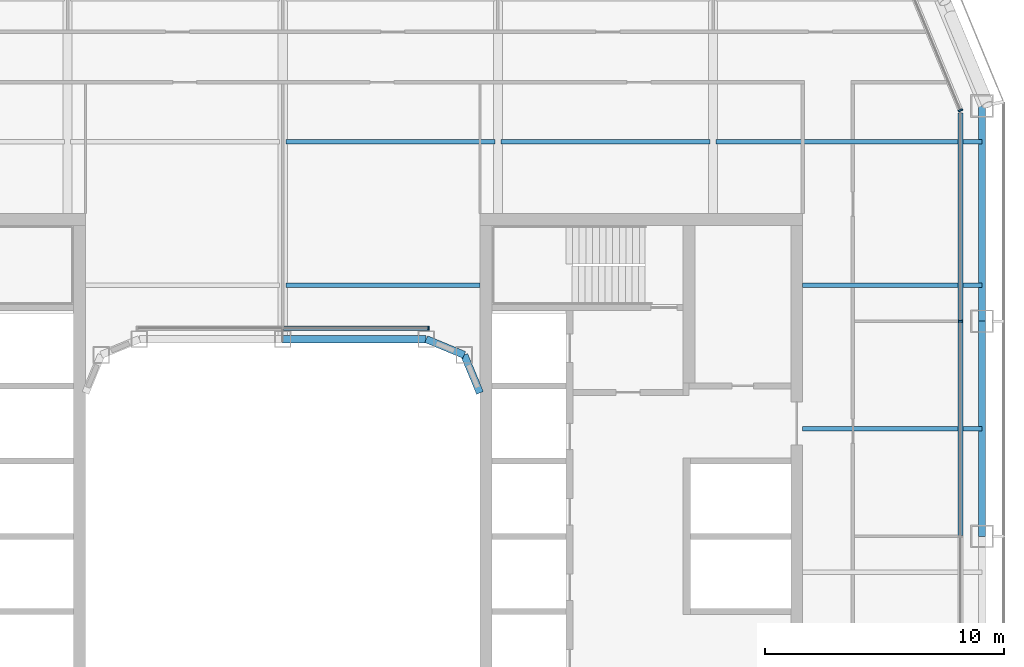
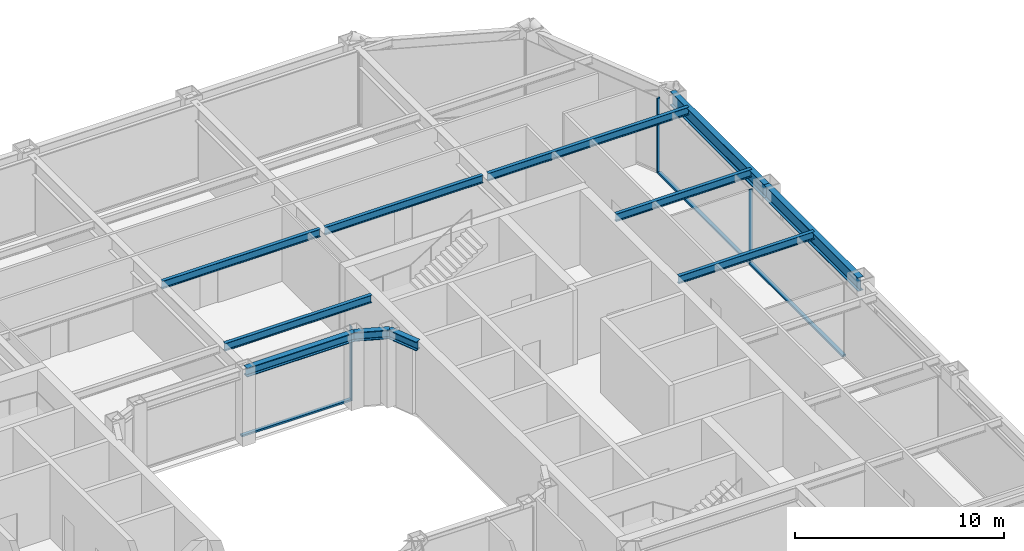
# One storey, part 8 of 21: 11 beams, 6 members, 3 elements without a shape of their own.
"""IFC4 building model written with IfcOpenShell, lengths in metres."""

from ifc_helpers import new_model, si_unit, direction, frame, origin, origin_2d, place, context, subcontext, project, spatial, rectangle, i_section, extrude, material, layer, layer_set, material_profile, profile_set, type_object, element, aggregate, save


model = new_model("IFC4")

# Units and contexts
model_context = context("Model", 3, precision=1e-05, world=origin(), true_north=direction((0.0, 1.0)))
body_context = subcontext(model_context, "Body", "Model", "MODEL_VIEW")
ifc_project = project(units=[si_unit("LENGTHUNIT", "METRE"), si_unit("AREAUNIT", "SQUARE_METRE"), si_unit("VOLUMEUNIT", "CUBIC_METRE"), si_unit("PLANEANGLEUNIT", "RADIAN"), si_unit("MASSUNIT", "GRAM", prefix="KILO")], contexts=[model_context])

# Site, building, storey
site_placement = place(None, origin())
site = spatial("IfcSite", under=ifc_project, at=site_placement, CompositionType="ELEMENT")
building_placement = place(site_placement, origin())
building = spatial("IfcBuilding", under=site, at=building_placement, Name="Siwar Civic Tower", CompositionType="ELEMENT")
storey_placement = place(building_placement, frame((0.0, 0.0, 140.699951171875)))
storey = spatial("IfcBuildingStorey", under=building, at=storey_placement, Name="L30", CompositionType="ELEMENT", Elevation=140.699951171875)

# Curtain wall, member
ifc_material_1 = material(Name="Aluminium and glass", Category="aluminium")
ifc_layer_1 = layer(ifc_material_1, 0.199951171875)
ifc_layer_set_1 = layer_set([ifc_layer_1], Name="Aluminium and glass")
curtain_wall_type_1 = type_object("IfcCurtainWallType", Name="ENV-CW-B", PredefinedType="NOTDEFINED", material=ifc_layer_set_1)
curtain_wall_1_placement = place(storey_placement, origin())
curtain_wall_1 = element("IfcCurtainWall", 1, at=curtain_wall_1_placement, inside=storey, type_object=curtain_wall_type_1, Name="Curtain wall B E", PredefinedType="NOTDEFINED")
ifc_material_2 = material(Name="Aluminium 6063-T6", Category="aluminium")
ifc_material_profile_1 = material_profile(ifc_material_2, rectangle(XDim=0.199951171875, YDim=0.06494140625, at=origin_2d()), Name="AL 200x65")
ifc_profile_set_1 = profile_set([ifc_material_profile_1], Name="Aluminium 6063-T6")
member_type_1 = type_object("IfcMemberType", Name="ENV-MULLION-B", PredefinedType="MULLION", material=ifc_profile_set_1)
member_1_placement = place(storey_placement, frame((28.35009765625, 9.0, 0.0), z_axis=(0.0, 0.0, 1.0), x_axis=(-1.0, 0.0, 0.0)))
member_1 = element("IfcMember", 2, at=member_1_placement, type_object=member_type_1, Name="Mullion B E 4", PredefinedType="MULLION", context=body_context, shape_type="SweptSolid", body=[
    extrude(rectangle(XDim=0.199951171875, YDim=0.06494140625, at=origin_2d()), origin(), (0.0, 0.0, 1.0), 4.35009765625),
])

ifc_material_3 = material(Name="Aluminium clad insulated panel", Category="aluminium")
ifc_layer_2 = layer(ifc_material_3, 0.199951171875)
ifc_layer_set_2 = layer_set([ifc_layer_2], Name="Aluminium clad insulated panel")
curtain_wall_type_2 = type_object("IfcCurtainWallType", Name="ENV-CW-BX", PredefinedType="NOTDEFINED", material=ifc_layer_set_2)
curtain_wall_2_placement = place(storey_placement, origin())
curtain_wall_2 = element("IfcCurtainWall", 3, at=curtain_wall_2_placement, inside=storey, type_object=curtain_wall_type_2, Name="Curtain wall B NE1", PredefinedType="NOTDEFINED")
member_2_placement = place(storey_placement, frame((28.35009765625, 17.821044921875, 0.0), z_axis=(0.0, 0.0, 1.0), x_axis=(-0.923879532511, -0.382683432365, 0.0)))
member_2 = element("IfcMember", 4, at=member_2_placement, type_object=member_type_1, Name="Mullion B NE1 1", PredefinedType="MULLION", context=body_context, shape_type="SweptSolid", body=[
    extrude(rectangle(XDim=0.199951171875, YDim=0.06494140625, at=origin_2d()), origin(), (0.0, 0.0, 1.0), 4.35009765625),
])
aggregate(curtain_wall_2, [member_2])

ifc_material_4 = material(Name="Aluminium and glass", Category="aluminium")
ifc_layer_3 = layer(ifc_material_4, 0.179931640625)
ifc_layer_set_3 = layer_set([ifc_layer_3], Name="Aluminium and glass")
curtain_wall_type_3 = type_object("IfcCurtainWallType", Name="ENV-CW-W", PredefinedType="NOTDEFINED", material=ifc_layer_set_3)
curtain_wall_3_placement = place(storey_placement, origin())
curtain_wall_3 = element("IfcCurtainWall", 5, at=curtain_wall_3_placement, inside=storey, type_object=curtain_wall_type_3, Name="Curtain wall W WN", PredefinedType="NOTDEFINED")
ifc_material_5 = material(Name="Aluminium 6063-T6", Category="aluminium")
ifc_material_profile_2 = material_profile(ifc_material_5, rectangle(XDim=0.179931640625, YDim=0.06005859375, at=origin_2d()), Name="AL 180x60")
ifc_profile_set_2 = profile_set([ifc_material_profile_2], Name="Aluminium 6063-T6")
member_type_2 = type_object("IfcMemberType", Name="ENV-MULLION-W", PredefinedType="MULLION", material=ifc_profile_set_2)
member_3_placement = place(storey_placement, frame((6.091552734375, 8.7099609375, 0.0), z_axis=(0.0, 0.0, 1.0), x_axis=(0.0, -1.0, 0.0)))
member_3 = element("IfcMember", 6, at=member_3_placement, type_object=member_type_2, Name="Mullion W WN 1", PredefinedType="MULLION", context=body_context, shape_type="SweptSolid", body=[
    extrude(rectangle(XDim=0.179931640625, YDim=0.06005859375, at=origin_2d()), origin(), (0.0, 0.0, 1.0), 4.35009765625),
])

# Member
ifc_material_6 = material(Name="Aluminium 6063-T6", Category="aluminium")
ifc_material_profile_3 = material_profile(ifc_material_6, rectangle(XDim=0.199951171875, YDim=0.110107421875, at=origin_2d()), Name="AL 200x110")
ifc_profile_set_3 = profile_set([ifc_material_profile_3], Name="Aluminium 6063-T6")
member_type_3 = type_object("IfcMemberType", Name="ENV-TRANSOM-B", PredefinedType="USERDEFINED", material=ifc_profile_set_3)
member_4_placement = place(storey_placement, frame((28.35009765625, 0.032470703125, 0.054931640625), z_axis=(0.0, 1.0, 0.0), x_axis=(-1.0, 0.0, 0.0)))
member_4 = element("IfcMember", 7, at=member_4_placement, type_object=member_type_3, Name="Transom B E 3", ObjectType="TRANSOM", PredefinedType="USERDEFINED", context=body_context, shape_type="SweptSolid", body=[
    extrude(rectangle(XDim=0.199951171875, YDim=0.110107421875, at=origin_2d()), origin(), (0.0, 0.0, 1.0), 8.93505859375),
])

member_5_placement = place(storey_placement, frame((28.35009765625, 9.032470703125, 0.054931640625), z_axis=(0.0, 1.0, 0.0), x_axis=(-1.0, 0.0, 0.0)))
member_5 = element("IfcMember", 8, at=member_5_placement, type_object=member_type_3, Name="Transom B E 4", ObjectType="TRANSOM", PredefinedType="USERDEFINED", context=body_context, shape_type="SweptSolid", body=[
    extrude(rectangle(XDim=0.199951171875, YDim=0.110107421875, at=origin_2d()), origin(), (0.0, 0.0, 1.0), 8.6748046875),
])

aggregate(curtain_wall_1, [member_1, member_4, member_5])

ifc_material_7 = material(Name="Aluminium 6063-T6", Category="aluminium")
ifc_material_profile_4 = material_profile(ifc_material_7, rectangle(XDim=0.179931640625, YDim=0.10009765625, at=origin_2d()), Name="AL 180x100")
ifc_profile_set_4 = profile_set([ifc_material_profile_4], Name="Aluminium 6063-T6")
member_type_4 = type_object("IfcMemberType", Name="ENV-TRANSOM-W", PredefinedType="USERDEFINED", material=ifc_profile_set_4)
member_6_placement = place(storey_placement, frame((6.0615234375, 8.7099609375, 0.050048828125), z_axis=(-1.0, 0.0, 0.0), x_axis=(0.0, -1.0, 0.0)))
member_6 = element("IfcMember", 9, at=member_6_placement, type_object=member_type_4, Name="Transom W WN 1", ObjectType="TRANSOM", PredefinedType="USERDEFINED", context=body_context, shape_type="SweptSolid", body=[
    extrude(rectangle(XDim=0.179931640625, YDim=0.10009765625, at=origin_2d()), origin(), (0.0, 0.0, 1.0), 6.031494140625),
])

aggregate(curtain_wall_3, [member_3, member_6])

# Beams
ifc_material_8 = material(Name="Steel S355", Category="steel")
ifc_material_profile_5 = material_profile(ifc_material_8, i_section(OverallWidth=0.18994140625, OverallDepth=0.449951171875, WebThickness=0.009521484375, FlangeThickness=0.0146484375, FilletRadius=0.02099609375, at=origin_2d()), Name="IPE450")
ifc_profile_set_5 = profile_set([ifc_material_profile_5], Name="Steel S355")
beam_type_1 = type_object("IfcBeamType", Name="STR-FB-IPE450", PredefinedType="JOIST", material=ifc_profile_set_5)
beam_1_placement = place(storey_placement, frame((21.75, 4.5, 4.125), z_axis=(1.0, 0.0, 0.0), x_axis=(0.0, 1.0, 0.0)))
element("IfcBeam", 10, at=beam_1_placement, inside=storey, type_object=beam_type_1, Name="L30/bm/F026", PredefinedType="JOIST", context=body_context, shape_type="SweptSolid", body=[
    extrude(i_section(OverallWidth=0.18994140625, OverallDepth=0.449951171875, WebThickness=0.009521484375, FlangeThickness=0.0146484375, FilletRadius=0.02099609375, at=origin_2d()), origin(), (0.0, 0.0, 1.0), 7.5),
])
beam_2_placement = place(storey_placement, frame((0.1298828125, 10.5, 4.125), z_axis=(1.0, 0.0, 0.0), x_axis=(0.0, 1.0, 0.0)))
element("IfcBeam", 11, at=beam_2_placement, inside=storey, type_object=beam_type_1, Name="L30/bm/F029", PredefinedType="JOIST", context=body_context, shape_type="SweptSolid", body=[
    extrude(i_section(OverallWidth=0.18994140625, OverallDepth=0.449951171875, WebThickness=0.009521484375, FlangeThickness=0.0146484375, FilletRadius=0.02099609375, at=origin_2d()), origin(), (0.0, 0.0, 1.0), 8.1201171875),
])
beam_3_placement = place(storey_placement, frame((21.75, 10.5, 4.125), z_axis=(1.0, 0.0, 0.0), x_axis=(0.0, 1.0, 0.0)))
element("IfcBeam", 12, at=beam_3_placement, inside=storey, type_object=beam_type_1, Name="L30/bm/F030", PredefinedType="JOIST", context=body_context, shape_type="SweptSolid", body=[
    extrude(i_section(OverallWidth=0.18994140625, OverallDepth=0.449951171875, WebThickness=0.009521484375, FlangeThickness=0.0146484375, FilletRadius=0.02099609375, at=origin_2d()), origin(), (0.0, 0.0, 1.0), 7.5),
])
for number, where, z_axis, x_axis, name in (
    (13, (0.1298828125, 16.5, 4.125), (1.0, 0.0, 0.0), (0.0, 1.0, 0.0), "L30/bm/F034"),
    (14, (9.1298828125, 16.5, 4.125), (1.0, 0.0, 0.0), (0.0, 1.0, 0.0), "L30/bm/F035"),
):
    element("IfcBeam", number, at=place(storey_placement, frame(where, z_axis=z_axis, x_axis=x_axis)), inside=storey, type_object=beam_type_1, Name=name, PredefinedType="JOIST", context=body_context, shape_type="SweptSolid", body=[
        extrude(i_section(OverallWidth=0.18994140625, OverallDepth=0.449951171875, WebThickness=0.009521484375, FlangeThickness=0.0146484375, FilletRadius=0.02099609375, at=origin_2d()), origin(), (0.0, 0.0, 1.0), 8.740234375),
    ])
beam_4_placement = place(storey_placement, frame((18.1298828125, 16.5, 4.125), z_axis=(1.0, 0.0, 0.0), x_axis=(0.0, 1.0, 0.0)))
element("IfcBeam", 15, at=beam_4_placement, inside=storey, type_object=beam_type_1, Name="L30/bm/F036", PredefinedType="JOIST", context=body_context, shape_type="SweptSolid", body=[
    extrude(i_section(OverallWidth=0.18994140625, OverallDepth=0.449951171875, WebThickness=0.009521484375, FlangeThickness=0.0146484375, FilletRadius=0.02099609375, at=origin_2d()), origin(), (0.0, 0.0, 1.0), 11.1201171875),
])
ifc_material_9 = material(Name="Steel S355", Category="steel")
ifc_material_profile_6 = material_profile(ifc_material_9, i_section(OverallWidth=0.305908203125, OverallDepth=0.52392578125, WebThickness=0.02099609375, FlangeThickness=0.0400390625, FilletRadius=0.027099609375, at=origin_2d()), Name="HEM500")
ifc_profile_set_6 = profile_set([ifc_material_profile_6], Name="Steel S355")
beam_type_2 = type_object("IfcBeamType", Name="STR-RB-HEM500", PredefinedType="BEAM", material=ifc_profile_set_6)
beam_5_placement = place(storey_placement, frame((0.0, 8.25, 4.088134765625), z_axis=(1.0, 0.0, 0.0), x_axis=(0.0, 1.0, 0.0)))
element("IfcBeam", 16, at=beam_5_placement, inside=storey, type_object=beam_type_2, Name="L30/bm/RN2", PredefinedType="BEAM", context=body_context, shape_type="SweptSolid", body=[
    extrude(i_section(OverallWidth=0.305908203125, OverallDepth=0.52392578125, WebThickness=0.02099609375, FlangeThickness=0.0400390625, FilletRadius=0.027099609375, at=origin_2d()), origin(), (0.0, 0.0, 1.0), 6.0),
])
for number, where, z_axis, x_axis, name in (
    (17, (6.0, 8.25, 4.088134765625), (0.923901072997, -0.382631424892, 0.0), (0.382631424892, 0.923901072997, 0.0), "L30/bm/RN3"),
    (18, (7.591064453125, 7.591064453125, 4.088134765625), (0.382631424892, -0.923901072997, 0.0), (0.923901072997, 0.382631424892, 0.0), "L30/bm/RNEE"),
):
    element("IfcBeam", number, at=place(storey_placement, frame(where, z_axis=z_axis, x_axis=x_axis)), inside=storey, type_object=beam_type_2, Name=name, PredefinedType="BEAM", context=body_context, shape_type="SweptSolid", body=[
        extrude(i_section(OverallWidth=0.305908203125, OverallDepth=0.52392578125, WebThickness=0.02099609375, FlangeThickness=0.0400390625, FilletRadius=0.027099609375, at=origin_2d()), origin(), (0.0, 0.0, 1.0), 1.72216796875),
    ])
ifc_material_10 = material(Name="Steel S355", Category="steel")
ifc_material_profile_7 = material_profile(ifc_material_10, i_section(OverallWidth=0.300048828125, OverallDepth=0.800048828125, WebThickness=0.017578125, FlangeThickness=0.032958984375, FilletRadius=0.030029296875, at=origin_2d()), Name="HEB800")
ifc_profile_set_7 = profile_set([ifc_material_profile_7], Name="Steel S355")
beam_type_3 = type_object("IfcBeamType", Name="STR-SB-HEB800", PredefinedType="BEAM", material=ifc_profile_set_7)
for number, where, z_axis, x_axis, name in (
    (19, (29.25, 0.0, 3.949951171875), (0.0, 1.0, 0.0), (-1.0, 0.0, 0.0), "L30/bm/SE-2"),
    (20, (29.25, 9.0, 3.949951171875), (0.0, 1.0, 0.0), (-1.0, 0.0, 0.0), "L30/bm/SE-3"),
):
    element("IfcBeam", number, at=place(storey_placement, frame(where, z_axis=z_axis, x_axis=x_axis)), inside=storey, type_object=beam_type_3, Name=name, PredefinedType="BEAM", context=body_context, shape_type="SweptSolid", body=[
        extrude(i_section(OverallWidth=0.300048828125, OverallDepth=0.800048828125, WebThickness=0.017578125, FlangeThickness=0.032958984375, FilletRadius=0.030029296875, at=origin_2d()), origin(), (0.0, 0.0, 1.0), 9.0),
    ])

save(model, "model.ifc")
